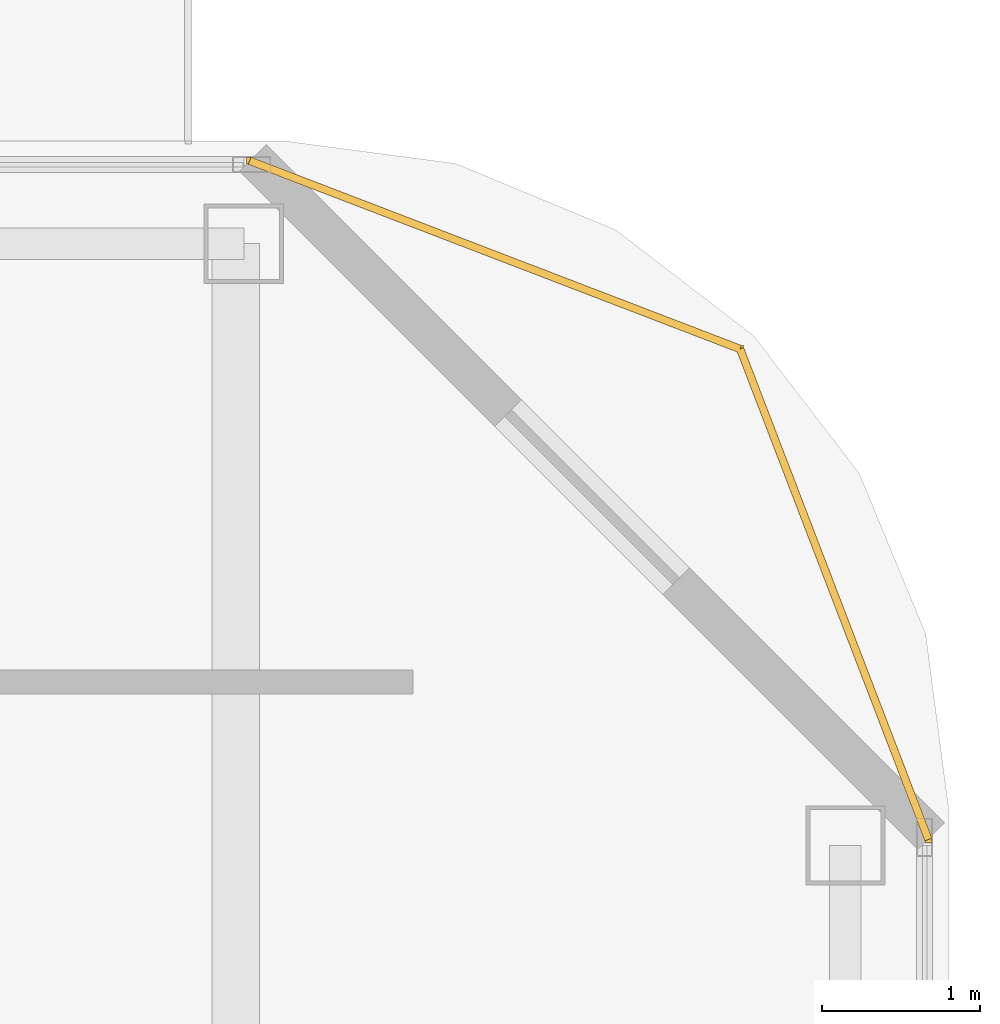
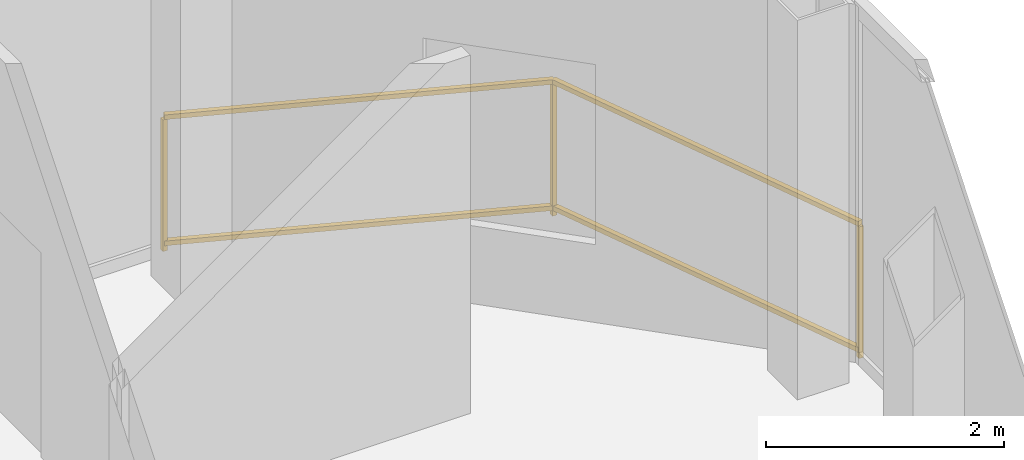
# One storey, part 26 of 26: 1 railing.
"""IFC4 building model written with IfcOpenShell, lengths in metres."""

from ifc_helpers import new_model, si_unit, direction, frame, origin, origin_2d, place, context, subcontext, project, spatial, rectangle, extrude, material, type_object, element, save


model = new_model("IFC4")

# Units and contexts
model_context = context("Model", 3, precision=1e-05, world=origin(), true_north=direction((0.0, 1.0)))
body_context = subcontext(model_context, "Body", "Model", "MODEL_VIEW")
ifc_project = project(units=[si_unit("LENGTHUNIT", "METRE"), si_unit("AREAUNIT", "SQUARE_METRE"), si_unit("VOLUMEUNIT", "CUBIC_METRE"), si_unit("PLANEANGLEUNIT", "RADIAN"), si_unit("MASSUNIT", "GRAM", prefix="KILO")], contexts=[model_context])

# Site, building, storey
site_placement = place(None, origin())
site = spatial("IfcSite", under=ifc_project, at=site_placement, CompositionType="ELEMENT")
building_placement = place(site_placement, origin())
building = spatial("IfcBuilding", under=site, at=building_placement, Name="Khorvyn Point Tower", CompositionType="ELEMENT")
storey_placement = place(building_placement, frame((0.0, 0.0, 289.800048828125)))
storey = spatial("IfcBuildingStorey", under=building, at=storey_placement, Name="L71", CompositionType="ELEMENT", Elevation=289.800048828125)

# Railing
ifc_material = material(Name="Anodised aluminium 6063-T6 and laminated safety glass", Category="aluminium")
railing_type = type_object("IfcRailingType", Name="Laminated Glass and Aluminium Balcony Guardrail 1400", PredefinedType="BALUSTRADE", material=ifc_material)
railing_placement = place(storey_placement, frame((19.17431640625, 16.78662109375, 0.0)))
element("IfcRailing", 1, at=railing_placement, inside=storey, type_object=railing_type, Name="L71 Rounded Corner Edge Guardrail NE", PredefinedType="BALUSTRADE", context=body_context, shape_type="SweptSolid", body=[
    extrude(rectangle(XDim=0.048095703125, YDim=0.048095703125, at=origin_2d()), frame((0.0, 0.0, 1.3759765625), z_axis=(-0.358328295484, 0.933595647299, 0.0), x_axis=(-0.933595647299, -0.358328295484, 0.0)), (0.0, 0.0, 1.0), 3.31884765625),
    extrude(rectangle(XDim=0.048095703125, YDim=0.048095703125, at=origin_2d()), frame((0.0, 0.0, 0.080078125), z_axis=(-0.358328295484, 0.933595647299, 0.0), x_axis=(-0.933595647299, -0.358328295484, 0.0)), (0.0, 0.0, 1.0), 3.31884765625),
    extrude(rectangle(XDim=0.048095703125, YDim=0.048095703125, at=origin_2d()), frame((-1.189208984375, 3.098388671875, 1.3759765625), z_axis=(-0.933580483903, 0.358367799998, 0.0), x_axis=(-0.358367799998, -0.933580483903, 0.0)), (0.0, 0.0, 1.0), 3.319091796875),
    extrude(rectangle(XDim=0.048095703125, YDim=0.048095703125, at=origin_2d()), frame((-1.189208984375, 3.098388671875, 0.080078125), z_axis=(-0.933580483903, 0.358367799998, 0.0), x_axis=(-0.358367799998, -0.933580483903, 0.0)), (0.0, 0.0, 1.0), 3.319091796875),
    extrude(rectangle(XDim=0.0419921875, YDim=0.0419921875, at=origin_2d()), origin(), (0.0, 0.0, 1.0), 1.351806640625),
    extrude(rectangle(XDim=0.0419921875, YDim=0.0419921875, at=origin_2d()), frame((-1.189208984375, 3.098388671875, 0.0)), (0.0, 0.0, 1.0), 1.351806640625),
    extrude(rectangle(XDim=0.0419921875, YDim=0.0419921875, at=origin_2d()), frame((-4.287841796875, 4.287841796875, 0.0)), (0.0, 0.0, 1.0), 1.351806640625),
])

save(model, "model.ifc")
